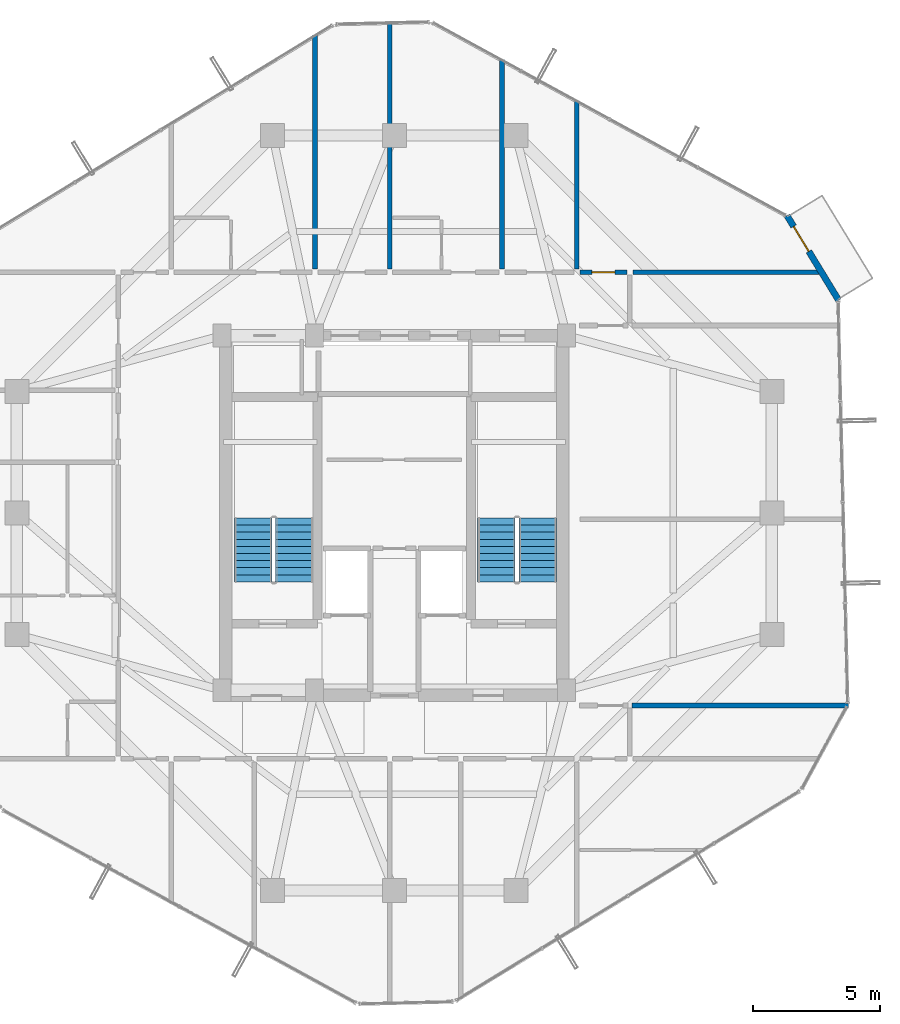
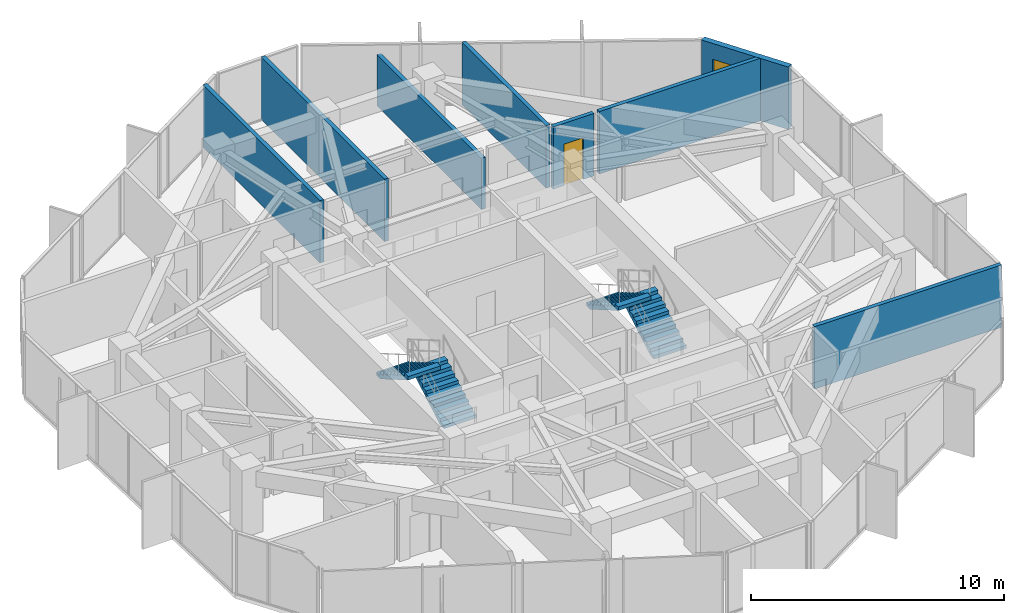
# One storey, part 30 of 32: 8 walls, 4 stair flights, 2 doors, 2 openings, 2 elements without a shape of their own.
"""IFC4 building model written with IfcOpenShell, lengths in metres."""

from ifc_helpers import new_model, si_unit, direction, frame, frame_2d, origin, place, context, subcontext, project, spatial, polyline, rectangle, outline, extrude, source, transform, mapped, material, layer, layer_set, type_object, element, fill, aggregate, save


model = new_model("IFC4")

# Units and contexts
model_context = context("Model", 3, precision=1e-05, world=origin(), true_north=direction((0.0, 1.0)))
body_context = subcontext(model_context, "Body", "Model", "MODEL_VIEW")
ifc_project = project(units=[si_unit("LENGTHUNIT", "METRE"), si_unit("AREAUNIT", "SQUARE_METRE"), si_unit("VOLUMEUNIT", "CUBIC_METRE"), si_unit("PLANEANGLEUNIT", "RADIAN"), si_unit("MASSUNIT", "GRAM", prefix="KILO")], contexts=[model_context])

# Site, building, storey
site_placement = place(None, origin())
site = spatial("IfcSite", under=ifc_project, at=site_placement, CompositionType="ELEMENT")
building_placement = place(site_placement, origin())
building = spatial("IfcBuilding", under=site, at=building_placement, Name="Veraguas Prism Commons", CompositionType="ELEMENT")
storey_placement = place(building_placement, frame((0.0, 0.0, 201.60009765625)))
storey = spatial("IfcBuildingStorey", under=building, at=storey_placement, Name="L57", CompositionType="ELEMENT", Elevation=201.60009765625)

# Walls
ifc_material_1 = material(Name="Autoclaved aerated masonry block 10 MPa", Category="masonry")
ifc_layer_1 = layer(ifc_material_1, 0.179931640625, Name="Corridor and Inter-Tenancy Partition 180", Category="masonry")
ifc_layer_set_1 = layer_set([ifc_layer_1], Name="Autoclaved aerated masonry block 10 MPa")
wall_type_1 = type_object("IfcWallType", Name="Corridor and Inter-Tenancy Partition 180", PredefinedType="PARTITIONING", material=ifc_layer_set_1)
wall_1_placement = place(storey_placement, frame((31.199951171875, 33.6201171875, 0.0), z_axis=(0.0, 0.0, 1.0), x_axis=(0.0, 1.0, 0.0)))
element("IfcWall", 1, at=wall_1_placement, inside=storey, type_object=wall_type_1, Name="WL-L57-PT011", PredefinedType="PARTITIONING", context=body_context, shape_type="SweptSolid", body=[
    extrude(rectangle(XDim=6.6611328125, YDim=0.179931640625, at=frame_2d((3.33056640625, 0.0))), origin(), (0.0, 0.0, 1.0), 3.014892578125),
])
wall_2_placement = place(storey_placement, frame((20.8701171875, 33.6201171875, 0.0), z_axis=(0.0, 0.0, 1.0), x_axis=(0.0, 1.0, 0.0)))
element("IfcWall", 2, at=wall_2_placement, inside=storey, type_object=wall_type_1, Name="WL-L57-PT013", PredefinedType="PARTITIONING", context=body_context, shape_type="SweptSolid", body=[
    extrude(rectangle(XDim=9.24755859375, YDim=0.179931640625, at=frame_2d((4.623779296875, 0.0))), origin(), (0.0, 0.0, 1.0), 3.014892578125),
])
wall_3_placement = place(storey_placement, frame((23.820068359375, 33.6201171875, 0.0), z_axis=(0.0, 0.0, 1.0), x_axis=(0.0, 1.0, 0.0)))
element("IfcWall", 3, at=wall_3_placement, inside=storey, type_object=wall_type_1, Name="WL-L57-PT017", PredefinedType="PARTITIONING", context=body_context, shape_type="SweptSolid", body=[
    extrude(rectangle(XDim=9.754150390625, YDim=0.179931640625, at=frame_2d((4.876953125, 0.0))), origin(), (0.0, 0.0, 1.0), 3.014892578125),
])
wall_4_placement = place(storey_placement, frame((28.25, 33.6201171875, 0.0), z_axis=(0.0, 0.0, 1.0), x_axis=(0.0, 1.0, 0.0)))
element("IfcWall", 4, at=wall_4_placement, inside=storey, type_object=wall_type_1, Name="WL-L57-PT019", PredefinedType="PARTITIONING", context=body_context, shape_type="SweptSolid", body=[
    extrude(rectangle(XDim=8.272216796875, YDim=0.179931640625, at=frame_2d((4.13623046875, 0.0))), origin(), (0.0, 0.0, 1.0), 2.468994140625),
])
wall_5_placement = place(storey_placement, frame((33.3798828125, 16.39990234375, 0.0), z_axis=(0.0, 0.0, 1.0), x_axis=(1.0, 0.0, 0.0)))
element("IfcWall", 5, at=wall_5_placement, inside=storey, type_object=wall_type_1, Name="WL-L57-PT039", PredefinedType="PARTITIONING", context=body_context, shape_type="SweptSolid", body=[
    extrude(rectangle(XDim=8.543212890625, YDim=0.179931640625, at=frame_2d((4.271484375, 0.0))), origin(), (0.0, 0.0, 1.0), 3.014892578125),
])
wall_6_placement = place(storey_placement, frame((33.419921875, 33.5, 0.0), z_axis=(0.0, 0.0, 1.0), x_axis=(1.0, 0.0, 0.0)))
element("IfcWall", 6, at=wall_6_placement, inside=storey, type_object=wall_type_1, Name="WL-L57-PT047", PredefinedType="PARTITIONING", context=body_context, shape_type="SweptSolid", body=[
    extrude(rectangle(XDim=7.477783203125, YDim=0.179931640625, at=frame_2d((3.73876953125, 0.0))), origin(), (0.0, 0.0, 1.0), 3.014892578125),
])

# Wall, opening, door
wall_7_placement = place(storey_placement, frame((31.320068359375, 33.5, 0.0), z_axis=(0.0, 0.0, 1.0), x_axis=(1.0, 0.0, 0.0)))
wall_7 = element("IfcWall", 7, at=wall_7_placement, inside=storey, type_object=wall_type_1, Name="WL-L57-PT048", PredefinedType="PARTITIONING", context=body_context, shape_type="SweptSolid", body=[
    extrude(rectangle(XDim=1.85986328125, YDim=0.179931640625, at=frame_2d((0.929931640625, 0.0))), origin(), (0.0, 0.0, 1.0), 3.014892578125),
])
opening_1_placement = place(wall_7_placement, frame((0.47998046875, 0.0, 0.0)))
opening_1 = element("IfcOpeningElement", 8, at=opening_1_placement, cuts=wall_7, Name="Opening DR-14", PredefinedType="OPENING", context=body_context, shape_type="SweptSolid", body=[
    extrude(rectangle(XDim=0.89990234375, YDim=2.010009765625, at=frame_2d((0.449951171875, 1.0048828125))), frame((0.0, 0.099853515625, 0.0), z_axis=(0.0, -1.0, 0.0), x_axis=(1.0, 0.0, 0.0)), (0.0, 0.0, 1.0), 0.199951171875),
])
ifc_material_2 = material(Name="Steel fire-rated door assembly", Category="steel")
door_type_1 = type_object("IfcDoorType", Name="Core Service Room Fire Door 900x2010", OperationType="NOTDEFINED", PredefinedType="DOOR", material=ifc_material_2)
shared_shape_1 = source(origin(), body_context, "Body", "SweptSolid", [
    extrude(rectangle(XDim=0.89990234375, YDim=2.010009765625, at=frame_2d((0.449951171875, 1.0048828125))), frame((0.0, 0.02490234375, 0.0), z_axis=(0.0, -1.0, 0.0), x_axis=(1.0, 0.0, 0.0)), (0.0, 0.0, 1.0), 0.050048828125),
])
door_1_placement = place(opening_1_placement, origin())
door_1 = element("IfcDoor", 9, at=door_1_placement, inside=storey, type_object=door_type_1, Name="Residents Corner Study Room NE Door", OperationType="SINGLE_SWING_RIGHT", OverallHeight=2.010009765625, OverallWidth=0.89990234375, PredefinedType="DOOR", context=body_context, shape_type="MappedRepresentation", body=[
    mapped(shared_shape_1, transform((0.0, 0.0, 0.0), scale=1.0)),
])
fill(opening_1, door_1)

ifc_material_3 = material(Name="Precast concrete C40/50", Category="concrete")
ifc_layer_2 = layer(ifc_material_3, 0.25, Name="External Loggia and Portal Wall 250", Category="concrete")
ifc_layer_set_2 = layer_set([ifc_layer_2], Name="Precast concrete C40/50")
wall_type_2 = type_object("IfcWallType", Name="External Loggia and Portal Wall 250", PredefinedType="SOLIDWALL", material=ifc_layer_set_2)
wall_8_placement = place(storey_placement, frame((41.535888671875, 32.39501953125, 0.0), z_axis=(0.0, 0.0, 1.0), x_axis=(-0.520390069566, 0.8539286712, 0.0)))
wall_8 = element("IfcWall", 10, at=wall_8_placement, inside=storey, type_object=wall_type_2, Name="Corner Loggia Wall L57-C1", PredefinedType="SOLIDWALL", context=body_context, shape_type="SweptSolid", body=[
    extrude(rectangle(XDim=3.91455078125, YDim=0.25, at=frame_2d((1.957275390625, 0.0))), origin(), (0.0, 0.0, 1.0), 3.014892578125),
])
opening_2_placement = place(wall_8_placement, frame((2.260009765625, 0.0, 0.0)))
opening_2 = element("IfcOpeningElement", 11, at=opening_2_placement, cuts=wall_8, Name="Opening DR-10", PredefinedType="OPENING", context=body_context, shape_type="SweptSolid", body=[
    extrude(rectangle(XDim=1.14990234375, YDim=2.25, at=frame_2d((0.574951171875, 1.125))), frame((0.0, 0.135009765625, 0.0), z_axis=(0.0, -1.0, 0.0), x_axis=(1.0, 0.0, 0.0)), (0.0, 0.0, 1.0), 0.27001953125),
])
ifc_material_4 = material(Name="Anodised aluminium EN AW-6063 T6", Category="aluminium")
door_type_2 = type_object("IfcDoorType", Name="Glazed Loggia and Terrace Door 1150x2250", OperationType="NOTDEFINED", PredefinedType="DOOR", material=ifc_material_4)
shared_shape_2 = source(origin(), body_context, "Body", "SweptSolid", [
    extrude(rectangle(XDim=1.14990234375, YDim=2.25, at=frame_2d((0.574951171875, 1.125))), frame((0.0, 0.02490234375, 0.0), z_axis=(0.0, -1.0, 0.0), x_axis=(1.0, 0.0, 0.0)), (0.0, 0.0, 1.0), 0.050048828125),
])
door_2_placement = place(opening_2_placement, frame((1.14990234375, 0.0, 0.0), z_axis=(0.0, 0.0, 1.0), x_axis=(-1.0, 0.0, 0.0)))
door_2 = element("IfcDoor", 12, at=door_2_placement, inside=storey, type_object=door_type_2, Name="Recessed Loggia Door L57-C1", OperationType="SINGLE_SWING_LEFT", OverallHeight=2.25, OverallWidth=1.14990234375, PredefinedType="DOOR", context=body_context, shape_type="MappedRepresentation", body=[
    mapped(shared_shape_2, transform((0.0, 0.0, 0.0), scale=1.0)),
])
fill(opening_2, door_2)

# Stair, stair flights
ifc_material_5 = material(Name="Precast concrete C45/55", Category="concrete")
stair_type = type_object("IfcStairType", Name="Dogleg Core Stair 1480W 20R 05", PredefinedType="HALF_TURN_STAIR", material=ifc_material_5)
stair_1_placement = place(storey_placement, origin())
stair_1 = element("IfcStair", 13, at=stair_1_placement, inside=storey, type_object=stair_type, Name="Protected Exit Stair ST-01 L57", PredefinedType="HALF_TURN_STAIR")
stair_flight_type = type_object("IfcStairFlightType", Name="Precast Stair Flight 1480W 10R 05", PredefinedType="STRAIGHT", material=ifc_material_5)
stair_flight_1_placement = place(storey_placement, frame((20.06005859375, 21.280029296875, 0.0), z_axis=(0.0, 0.0, 1.0), x_axis=(0.0, 1.0, 0.0)))
stair_flight_1 = element("IfcStairFlight", 14, at=stair_flight_1_placement, type_object=stair_flight_type, Name="ST-05 Flight 1", NumberOfRisers=10, NumberOfTreads=9, PredefinedType="STRAIGHT", RiserHeight=0.1625, TreadLength=0.28, context=body_context, shape_type="SweptSolid", body=[
    extrude(outline(polyline([(0.0, 0.0), (0.0, 0.16259765625), (0.280029296875, 0.16259765625), (0.280029296875, 0.324951171875), (0.56005859375, 0.324951171875), (0.56005859375, 0.487548828125), (0.840087890625, 0.487548828125), (0.840087890625, 0.64990234375), (1.1201171875, 0.64990234375), (1.1201171875, 0.8125), (1.39990234375, 0.8125), (1.39990234375, 0.97509765625), (1.679931640625, 0.97509765625), (1.679931640625, 1.137451171875), (1.9599609375, 1.137451171875), (1.9599609375, 1.300048828125), (2.239990234375, 1.300048828125), (2.239990234375, 1.46240234375), (2.52001953125, 1.46240234375), (2.52001953125, 1.625), (2.52001953125, 1.2890625), (0.298583984375, 0.0), (0.0, 0.0)])), frame((0.0, 0.739990234375, 0.0), z_axis=(0.0, -1.0, 0.0), x_axis=(1.0, 0.0, 0.0)), (0.0, 0.0, 1.0), 1.47998046875),
])
stair_flight_2_placement = place(storey_placement, frame((18.429931640625, 23.800048828125, 1.625), z_axis=(0.0, 0.0, 1.0), x_axis=(0.0, -1.0, 0.0)))
stair_flight_2 = element("IfcStairFlight", 15, at=stair_flight_2_placement, type_object=stair_flight_type, Name="ST-05 Flight 2", NumberOfRisers=10, NumberOfTreads=9, PredefinedType="STRAIGHT", RiserHeight=0.1625, TreadLength=0.28, context=body_context, shape_type="SweptSolid", body=[
    extrude(outline(polyline([(0.0, 0.0), (0.0, 0.16259765625), (0.280029296875, 0.16259765625), (0.280029296875, 0.324951171875), (0.56005859375, 0.324951171875), (0.56005859375, 0.487548828125), (0.840087890625, 0.487548828125), (0.840087890625, 0.64990234375), (1.1201171875, 0.64990234375), (1.1201171875, 0.8125), (1.39990234375, 0.8125), (1.39990234375, 0.97509765625), (1.679931640625, 0.97509765625), (1.679931640625, 1.137451171875), (1.9599609375, 1.137451171875), (1.9599609375, 1.300048828125), (2.239990234375, 1.300048828125), (2.239990234375, 1.46240234375), (2.52001953125, 1.46240234375), (2.52001953125, 1.625), (2.52001953125, 1.2890625), (0.298583984375, 0.0), (0.0, 0.0)])), frame((0.0, 0.739990234375, 0.0), z_axis=(0.0, -1.0, 0.0), x_axis=(1.0, 0.0, 0.0)), (0.0, 0.0, 1.0), 1.47998046875),
])
aggregate(stair_1, [stair_flight_1, stair_flight_2])

stair_2_placement = place(storey_placement, origin())
stair_2 = element("IfcStair", 16, at=stair_2_placement, inside=storey, type_object=stair_type, Name="Protected Exit Stair ST-02 L57", PredefinedType="HALF_TURN_STAIR")
stair_flight_3_placement = place(storey_placement, frame((29.659912109375, 21.280029296875, 0.0), z_axis=(0.0, 0.0, 1.0), x_axis=(0.0, 1.0, 0.0)))
stair_flight_3 = element("IfcStairFlight", 17, at=stair_flight_3_placement, type_object=stair_flight_type, Name="ST-05 Flight 1", NumberOfRisers=10, NumberOfTreads=9, PredefinedType="STRAIGHT", RiserHeight=0.1625, TreadLength=0.28, context=body_context, shape_type="SweptSolid", body=[
    extrude(outline(polyline([(0.0, 0.0), (0.0, 0.16259765625), (0.280029296875, 0.16259765625), (0.280029296875, 0.324951171875), (0.56005859375, 0.324951171875), (0.56005859375, 0.487548828125), (0.840087890625, 0.487548828125), (0.840087890625, 0.64990234375), (1.1201171875, 0.64990234375), (1.1201171875, 0.8125), (1.39990234375, 0.8125), (1.39990234375, 0.97509765625), (1.679931640625, 0.97509765625), (1.679931640625, 1.137451171875), (1.9599609375, 1.137451171875), (1.9599609375, 1.300048828125), (2.239990234375, 1.300048828125), (2.239990234375, 1.46240234375), (2.52001953125, 1.46240234375), (2.52001953125, 1.625), (2.52001953125, 1.2890625), (0.298583984375, 0.0), (0.0, 0.0)])), frame((0.0, 0.739990234375, 0.0), z_axis=(0.0, -1.0, 0.0), x_axis=(1.0, 0.0, 0.0)), (0.0, 0.0, 1.0), 1.47998046875),
])
stair_flight_4_placement = place(storey_placement, frame((28.030029296875, 23.800048828125, 1.625), z_axis=(0.0, 0.0, 1.0), x_axis=(0.0, -1.0, 0.0)))
stair_flight_4 = element("IfcStairFlight", 18, at=stair_flight_4_placement, type_object=stair_flight_type, Name="ST-05 Flight 2", NumberOfRisers=10, NumberOfTreads=9, PredefinedType="STRAIGHT", RiserHeight=0.1625, TreadLength=0.28, context=body_context, shape_type="SweptSolid", body=[
    extrude(outline(polyline([(0.0, 0.0), (0.0, 0.16259765625), (0.280029296875, 0.16259765625), (0.280029296875, 0.324951171875), (0.56005859375, 0.324951171875), (0.56005859375, 0.487548828125), (0.840087890625, 0.487548828125), (0.840087890625, 0.64990234375), (1.1201171875, 0.64990234375), (1.1201171875, 0.8125), (1.39990234375, 0.8125), (1.39990234375, 0.97509765625), (1.679931640625, 0.97509765625), (1.679931640625, 1.137451171875), (1.9599609375, 1.137451171875), (1.9599609375, 1.300048828125), (2.239990234375, 1.300048828125), (2.239990234375, 1.46240234375), (2.52001953125, 1.46240234375), (2.52001953125, 1.625), (2.52001953125, 1.2890625), (0.298583984375, 0.0), (0.0, 0.0)])), frame((0.0, 0.739990234375, 0.0), z_axis=(0.0, -1.0, 0.0), x_axis=(1.0, 0.0, 0.0)), (0.0, 0.0, 1.0), 1.47998046875),
])
aggregate(stair_2, [stair_flight_3, stair_flight_4])

save(model, "model.ifc")
